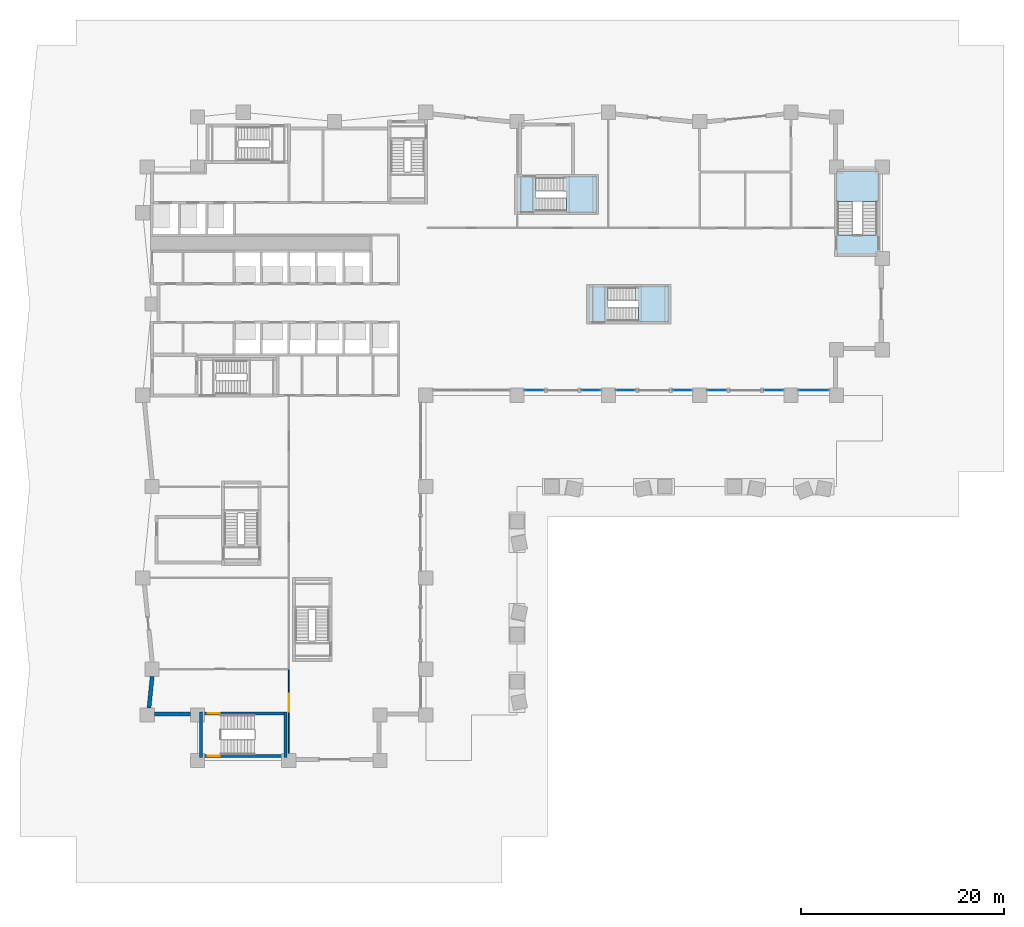
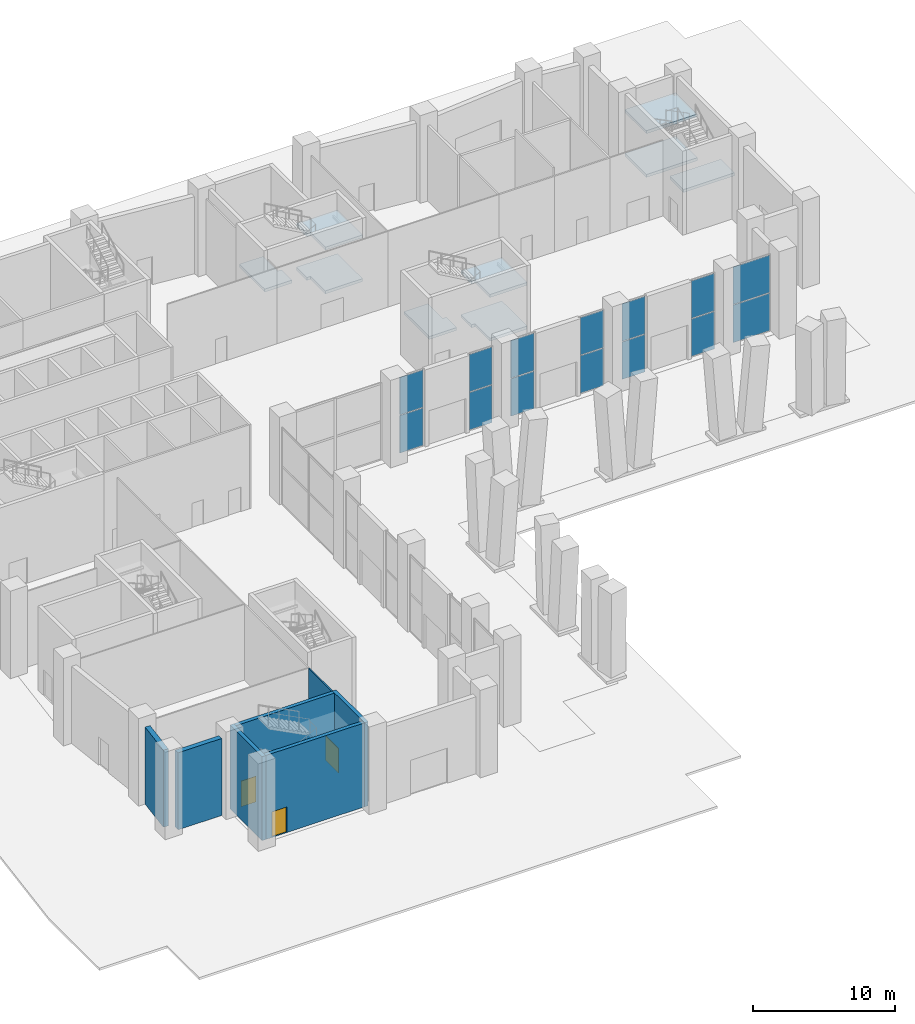
# One storey, part 6 of 16: 14 plates, 9 slabs, 7 walls, 3 doors, 3 openings, 10 elements without a shape of their own.
"""IFC4 building model written with IfcOpenShell, lengths in metres."""

from ifc_helpers import new_model, si_unit, direction, frame, frame_2d, origin, origin_2d, place, context, subcontext, project, spatial, polyline, rectangle, outline, extrude, material, layer, layer_set, type_object, element, fill, aggregate, save


model = new_model("IFC4")

# Units and contexts
model_context = context("Model", 3, precision=1e-05, world=origin(), true_north=direction((0.0, 1.0)))
body_context = subcontext(model_context, "Body", "Model", "MODEL_VIEW")
ifc_project = project(units=[si_unit("LENGTHUNIT", "METRE"), si_unit("AREAUNIT", "SQUARE_METRE"), si_unit("VOLUMEUNIT", "CUBIC_METRE"), si_unit("PLANEANGLEUNIT", "RADIAN"), si_unit("MASSUNIT", "GRAM", prefix="KILO")], contexts=[model_context])

# Site, building, storey
site_placement = place(None, origin())
site = spatial("IfcSite", under=ifc_project, at=site_placement, CompositionType="ELEMENT")
building_placement = place(site_placement, origin())
building = spatial("IfcBuilding", under=site, at=building_placement, Name="Brondeck Convention Tower", CompositionType="ELEMENT")
storey_placement = place(building_placement, origin())
storey = spatial("IfcBuildingStorey", under=building, at=storey_placement, Name="L00", CompositionType="ELEMENT", Elevation=0.0)

# Curtain wall, plates
ifc_material_1 = material(Name="Aluminium, bronze anodised", Category="aluminium")
curtain_wall_type = type_object("IfcCurtainWallType", Name="Lobby and concourse curtain wall", PredefinedType="NOTDEFINED", material=ifc_material_1)
curtain_wall_1_placement = place(storey_placement, origin())
curtain_wall_1 = element("IfcCurtainWall", 1, at=curtain_wall_1_placement, inside=storey, type_object=curtain_wall_type, Name="ENV-CW1-L00-A-S-03a", PredefinedType="NOTDEFINED")
ifc_material_2 = material(Name="Bronze tinted laminated glass", Category="glass")
ifc_layer_1 = layer(ifc_material_2, 0.010009765625, Name="Outer pane")
ifc_material_3 = material(Name="Argon-filled cavity")
ifc_layer_2 = layer(ifc_material_3, 0.011962890625, Name="Cavity")
ifc_material_4 = material(Name="Clear low-emissivity glass", Category="glass")
ifc_layer_3 = layer(ifc_material_4, 0.010009765625, Name="Inner pane")
ifc_layer_set_1 = layer_set([ifc_layer_1, ifc_layer_2, ifc_layer_3], Name="CW1 glazing panel")
plate_type = type_object("IfcPlateType", Name="CW1 glazing panel", PredefinedType="CURTAIN_PANEL", material=ifc_layer_set_1)
plate_1_placement = place(storey_placement, frame((37.699951171875, 36.5, 0.06005859375), z_axis=(0.0, 0.0, 1.0), x_axis=(-1.0, 0.0, 0.0)))
plate_1 = element("IfcPlate", 2, at=plate_1_placement, type_object=plate_type, Name="CW1 panel 1.1", PredefinedType="CURTAIN_PANEL", context=body_context, shape_type="SweptSolid", body=[
    extrude(rectangle(XDim=1.8798828125, YDim=0.031982421875, at=origin_2d()), origin(), (0.0, 0.0, 1.0), 3.2099609375),
])
plate_2_placement = place(storey_placement, frame((37.699951171875, 36.5, 3.330078125), z_axis=(0.0, 0.0, 1.0), x_axis=(-1.0, 0.0, 0.0)))
plate_2 = element("IfcPlate", 3, at=plate_2_placement, type_object=plate_type, Name="CW1 panel 1.2", PredefinedType="CURTAIN_PANEL", context=body_context, shape_type="SweptSolid", body=[
    extrude(rectangle(XDim=1.8798828125, YDim=0.031982421875, at=origin_2d()), origin(), (0.0, 0.0, 1.0), 3.2099609375),
])
aggregate(curtain_wall_1, [plate_1, plate_2])

curtain_wall_2_placement = place(storey_placement, origin())
curtain_wall_2 = element("IfcCurtainWall", 4, at=curtain_wall_2_placement, inside=storey, type_object=curtain_wall_type, Name="ENV-CW1-L00-A-S-03b", PredefinedType="NOTDEFINED")
plate_3_placement = place(storey_placement, frame((43.300048828125, 36.5, 0.06005859375), z_axis=(0.0, 0.0, 1.0), x_axis=(-1.0, 0.0, 0.0)))
plate_3 = element("IfcPlate", 5, at=plate_3_placement, type_object=plate_type, Name="CW1 panel 1.1", PredefinedType="CURTAIN_PANEL", context=body_context, shape_type="SweptSolid", body=[
    extrude(rectangle(XDim=1.8798828125, YDim=0.031982421875, at=origin_2d()), origin(), (0.0, 0.0, 1.0), 3.2099609375),
])
plate_4_placement = place(storey_placement, frame((43.300048828125, 36.5, 3.330078125), z_axis=(0.0, 0.0, 1.0), x_axis=(-1.0, 0.0, 0.0)))
plate_4 = element("IfcPlate", 6, at=plate_4_placement, type_object=plate_type, Name="CW1 panel 1.2", PredefinedType="CURTAIN_PANEL", context=body_context, shape_type="SweptSolid", body=[
    extrude(rectangle(XDim=1.8798828125, YDim=0.031982421875, at=origin_2d()), origin(), (0.0, 0.0, 1.0), 3.2099609375),
])
aggregate(curtain_wall_2, [plate_3, plate_4])

curtain_wall_3_placement = place(storey_placement, origin())
curtain_wall_3 = element("IfcCurtainWall", 7, at=curtain_wall_3_placement, inside=storey, type_object=curtain_wall_type, Name="ENV-CW1-L00-A-S-05a", PredefinedType="NOTDEFINED")
plate_5_placement = place(storey_placement, frame((46.699951171875, 36.5, 0.06005859375), z_axis=(0.0, 0.0, 1.0), x_axis=(-1.0, 0.0, 0.0)))
plate_5 = element("IfcPlate", 8, at=plate_5_placement, type_object=plate_type, Name="CW1 panel 1.1", PredefinedType="CURTAIN_PANEL", context=body_context, shape_type="SweptSolid", body=[
    extrude(rectangle(XDim=1.8798828125, YDim=0.031982421875, at=origin_2d()), origin(), (0.0, 0.0, 1.0), 3.2099609375),
])
plate_6_placement = place(storey_placement, frame((46.699951171875, 36.5, 3.330078125), z_axis=(0.0, 0.0, 1.0), x_axis=(-1.0, 0.0, 0.0)))
plate_6 = element("IfcPlate", 9, at=plate_6_placement, type_object=plate_type, Name="CW1 panel 1.2", PredefinedType="CURTAIN_PANEL", context=body_context, shape_type="SweptSolid", body=[
    extrude(rectangle(XDim=1.8798828125, YDim=0.031982421875, at=origin_2d()), origin(), (0.0, 0.0, 1.0), 3.2099609375),
])
aggregate(curtain_wall_3, [plate_5, plate_6])

curtain_wall_4_placement = place(storey_placement, origin())
curtain_wall_4 = element("IfcCurtainWall", 10, at=curtain_wall_4_placement, inside=storey, type_object=curtain_wall_type, Name="ENV-CW1-L00-A-S-05b", PredefinedType="NOTDEFINED")
plate_7_placement = place(storey_placement, frame((52.300048828125, 36.5, 0.06005859375), z_axis=(0.0, 0.0, 1.0), x_axis=(-1.0, 0.0, 0.0)))
plate_7 = element("IfcPlate", 11, at=plate_7_placement, type_object=plate_type, Name="CW1 panel 1.1", PredefinedType="CURTAIN_PANEL", context=body_context, shape_type="SweptSolid", body=[
    extrude(rectangle(XDim=1.8798828125, YDim=0.031982421875, at=origin_2d()), origin(), (0.0, 0.0, 1.0), 3.2099609375),
])
plate_8_placement = place(storey_placement, frame((52.300048828125, 36.5, 3.330078125), z_axis=(0.0, 0.0, 1.0), x_axis=(-1.0, 0.0, 0.0)))
plate_8 = element("IfcPlate", 12, at=plate_8_placement, type_object=plate_type, Name="CW1 panel 1.2", PredefinedType="CURTAIN_PANEL", context=body_context, shape_type="SweptSolid", body=[
    extrude(rectangle(XDim=1.8798828125, YDim=0.031982421875, at=origin_2d()), origin(), (0.0, 0.0, 1.0), 3.2099609375),
])
aggregate(curtain_wall_4, [plate_7, plate_8])

curtain_wall_5_placement = place(storey_placement, origin())
curtain_wall_5 = element("IfcCurtainWall", 13, at=curtain_wall_5_placement, inside=storey, type_object=curtain_wall_type, Name="ENV-CW1-L00-A-S-07a", PredefinedType="NOTDEFINED")
plate_9_placement = place(storey_placement, frame((55.699951171875, 36.5, 0.06005859375), z_axis=(0.0, 0.0, 1.0), x_axis=(-1.0, 0.0, 0.0)))
plate_9 = element("IfcPlate", 14, at=plate_9_placement, type_object=plate_type, Name="CW1 panel 1.1", PredefinedType="CURTAIN_PANEL", context=body_context, shape_type="SweptSolid", body=[
    extrude(rectangle(XDim=1.8798828125, YDim=0.031982421875, at=origin_2d()), origin(), (0.0, 0.0, 1.0), 3.2099609375),
])
plate_10_placement = place(storey_placement, frame((55.699951171875, 36.5, 3.330078125), z_axis=(0.0, 0.0, 1.0), x_axis=(-1.0, 0.0, 0.0)))
plate_10 = element("IfcPlate", 15, at=plate_10_placement, type_object=plate_type, Name="CW1 panel 1.2", PredefinedType="CURTAIN_PANEL", context=body_context, shape_type="SweptSolid", body=[
    extrude(rectangle(XDim=1.8798828125, YDim=0.031982421875, at=origin_2d()), origin(), (0.0, 0.0, 1.0), 3.2099609375),
])
aggregate(curtain_wall_5, [plate_9, plate_10])

curtain_wall_6_placement = place(storey_placement, origin())
curtain_wall_6 = element("IfcCurtainWall", 16, at=curtain_wall_6_placement, inside=storey, type_object=curtain_wall_type, Name="ENV-CW1-L00-A-S-07b", PredefinedType="NOTDEFINED")
plate_11_placement = place(storey_placement, frame((61.300048828125, 36.5, 0.06005859375), z_axis=(0.0, 0.0, 1.0), x_axis=(-1.0, 0.0, 0.0)))
plate_11 = element("IfcPlate", 17, at=plate_11_placement, type_object=plate_type, Name="CW1 panel 1.1", PredefinedType="CURTAIN_PANEL", context=body_context, shape_type="SweptSolid", body=[
    extrude(rectangle(XDim=1.8798828125, YDim=0.031982421875, at=origin_2d()), origin(), (0.0, 0.0, 1.0), 3.2099609375),
])
plate_12_placement = place(storey_placement, frame((61.300048828125, 36.5, 3.330078125), z_axis=(0.0, 0.0, 1.0), x_axis=(-1.0, 0.0, 0.0)))
plate_12 = element("IfcPlate", 18, at=plate_12_placement, type_object=plate_type, Name="CW1 panel 1.2", PredefinedType="CURTAIN_PANEL", context=body_context, shape_type="SweptSolid", body=[
    extrude(rectangle(XDim=1.8798828125, YDim=0.031982421875, at=origin_2d()), origin(), (0.0, 0.0, 1.0), 3.2099609375),
])
aggregate(curtain_wall_6, [plate_11, plate_12])

curtain_wall_7_placement = place(storey_placement, origin())
curtain_wall_7 = element("IfcCurtainWall", 19, at=curtain_wall_7_placement, inside=storey, type_object=curtain_wall_type, Name="ENV-CW1-L00-A-S-08", PredefinedType="NOTDEFINED")
plate_13_placement = place(storey_placement, frame((65.25, 36.5, 0.06005859375), z_axis=(0.0, 0.0, 1.0), x_axis=(-1.0, 0.0, 0.0)))
plate_13 = element("IfcPlate", 20, at=plate_13_placement, type_object=plate_type, Name="CW1 panel 1.1", PredefinedType="CURTAIN_PANEL", context=body_context, shape_type="SweptSolid", body=[
    extrude(rectangle(XDim=2.97998046875, YDim=0.031982421875, at=origin_2d()), origin(), (0.0, 0.0, 1.0), 3.2099609375),
])
plate_14_placement = place(storey_placement, frame((65.25, 36.5, 3.330078125), z_axis=(0.0, 0.0, 1.0), x_axis=(-1.0, 0.0, 0.0)))
plate_14 = element("IfcPlate", 21, at=plate_14_placement, type_object=plate_type, Name="CW1 panel 1.2", PredefinedType="CURTAIN_PANEL", context=body_context, shape_type="SweptSolid", body=[
    extrude(rectangle(XDim=2.97998046875, YDim=0.031982421875, at=origin_2d()), origin(), (0.0, 0.0, 1.0), 3.2099609375),
])
aggregate(curtain_wall_7, [plate_13, plate_14])

# Stair, slabs
ifc_material_5 = material(Name="Precast concrete C50/60", Category="concrete")
stair_type_1 = type_object("IfcStairType", Name="Core stair 44 risers 170.45 mm riser 300 mm going 1350 wide", PredefinedType="HALF_TURN_STAIR", material=ifc_material_5)
stair_1_placement = place(storey_placement, origin())
stair_1 = element("IfcStair", 22, at=stair_1_placement, inside=storey, type_object=stair_type_1, Name="ST-AE L00 stair", PredefinedType="HALF_TURN_STAIR")
ifc_layer_4 = layer(ifc_material_5, 0.25)
ifc_layer_set_2 = layer_set([ifc_layer_4], Name="Core stair landing 250 Precast concrete C50/60")
slab_type = type_object("IfcSlabType", Name="Core stair landing 250 Precast concrete C50/60", PredefinedType="LANDING", material=ifc_layer_set_2)
slab_1_placement = place(storey_placement, frame((0.0, 0.0, 1.625)))
slab_1 = element("IfcSlab", 23, at=slab_1_placement, type_object=slab_type, Name="ST-AE landing 1", PredefinedType="LANDING", context=body_context, shape_type="SweptSolid", body=[
    extrude(outline(polyline([(40.847900390625, 55.5), (40.85009765625, 55.5), (40.85009765625, 56.10009765625), (40.550048828125, 56.10009765625), (40.550048828125, 57.570068359375), (43.8701171875, 57.570068359375), (43.8701171875, 54.030029296875), (40.847900390625, 54.030029296875), (40.847900390625, 55.5)])), origin(), (0.0, 0.0, 1.0), 0.25),
])
slab_2_placement = place(storey_placement, frame((0.0, 0.0, 3.5)))
slab_2 = element("IfcSlab", 24, at=slab_2_placement, type_object=slab_type, Name="ST-AE landing 2", PredefinedType="LANDING", context=body_context, shape_type="SweptSolid", body=[
    extrude(outline(polyline([(38.14990234375, 55.5), (38.14990234375, 54.030029296875), (35.929931640625, 54.030029296875), (35.929931640625, 57.570068359375), (37.85205078125, 57.570068359375), (37.85205078125, 56.10009765625), (37.85009765625, 56.10009765625), (37.85009765625, 55.5), (38.14990234375, 55.5)])), origin(), (0.0, 0.0, 1.0), 0.25),
])
slab_3_placement = place(storey_placement, frame((0.0, 0.0, 5.375)))
slab_3 = element("IfcSlab", 25, at=slab_3_placement, type_object=slab_type, Name="ST-AE landing 3", PredefinedType="LANDING", context=body_context, shape_type="SweptSolid", body=[
    extrude(outline(polyline([(40.847900390625, 55.5), (40.85009765625, 55.5), (40.85009765625, 56.10009765625), (40.550048828125, 56.10009765625), (40.550048828125, 57.570068359375), (43.8701171875, 57.570068359375), (43.8701171875, 54.030029296875), (40.847900390625, 54.030029296875), (40.847900390625, 55.5)])), origin(), (0.0, 0.0, 1.0), 0.25),
])
aggregate(stair_1, [slab_1, slab_2, slab_3])

stair_2_placement = place(storey_placement, origin())
stair_2 = element("IfcStair", 26, at=stair_2_placement, inside=storey, type_object=stair_type_1, Name="ST-AF L00 stair", PredefinedType="HALF_TURN_STAIR")
slab_4_placement = place(storey_placement, frame((0.0, 0.0, 1.625)))
slab_4 = element("IfcSlab", 27, at=slab_4_placement, type_object=slab_type, Name="ST-AF landing 1", PredefinedType="LANDING", context=body_context, shape_type="SweptSolid", body=[
    extrude(outline(polyline([(47.947998046875, 44.699951171875), (47.949951171875, 44.699951171875), (47.949951171875, 45.300048828125), (47.64990234375, 45.300048828125), (47.64990234375, 46.77001953125), (50.969970703125, 46.77001953125), (50.969970703125, 43.22998046875), (47.947998046875, 43.22998046875), (47.947998046875, 44.699951171875)])), origin(), (0.0, 0.0, 1.0), 0.25),
])
slab_5_placement = place(storey_placement, frame((0.0, 0.0, 3.5)))
slab_5 = element("IfcSlab", 28, at=slab_5_placement, type_object=slab_type, Name="ST-AF landing 2", PredefinedType="LANDING", context=body_context, shape_type="SweptSolid", body=[
    extrude(outline(polyline([(45.25, 44.699951171875), (45.25, 43.22998046875), (43.030029296875, 43.22998046875), (43.030029296875, 46.77001953125), (44.951904296875, 46.77001953125), (44.951904296875, 45.300048828125), (44.949951171875, 45.300048828125), (44.949951171875, 44.699951171875), (45.25, 44.699951171875)])), origin(), (0.0, 0.0, 1.0), 0.25),
])
slab_6_placement = place(storey_placement, frame((0.0, 0.0, 5.375)))
slab_6 = element("IfcSlab", 29, at=slab_6_placement, type_object=slab_type, Name="ST-AF landing 3", PredefinedType="LANDING", context=body_context, shape_type="SweptSolid", body=[
    extrude(outline(polyline([(47.947998046875, 44.699951171875), (47.949951171875, 44.699951171875), (47.949951171875, 45.300048828125), (47.64990234375, 45.300048828125), (47.64990234375, 46.77001953125), (50.969970703125, 46.77001953125), (50.969970703125, 43.22998046875), (47.947998046875, 43.22998046875), (47.947998046875, 44.699951171875)])), origin(), (0.0, 0.0, 1.0), 0.25),
])
aggregate(stair_2, [slab_4, slab_5, slab_6])

stair_type_2 = type_object("IfcStairType", Name="Core stair 44 risers 170.45 mm riser 330 mm going 1500 wide", PredefinedType="HALF_TURN_STAIR", material=ifc_material_5)
stair_3_placement = place(storey_placement, origin())
stair_3 = element("IfcStair", 30, at=stair_3_placement, inside=storey, type_object=stair_type_2, Name="PS-1 L00 stair", PredefinedType="HALF_TURN_STAIR")
slab_7_placement = place(storey_placement, frame((0.0, 0.0, 1.625)))
slab_7 = element("IfcSlab", 31, at=slab_7_placement, type_object=slab_type, Name="PS-1 landing 1", PredefinedType="LANDING", context=body_context, shape_type="SweptSolid", body=[
    extrude(outline(polyline([(69.10009765625, 55.097900390625), (67.47998046875, 55.097900390625), (67.47998046875, 58.1201171875), (71.6201171875, 58.1201171875), (71.6201171875, 55.097900390625), (70.0, 55.097900390625), (70.0, 55.10009765625), (69.10009765625, 55.10009765625), (69.10009765625, 55.097900390625)])), origin(), (0.0, 0.0, 1.0), 0.25),
])
slab_8_placement = place(storey_placement, frame((0.0, 0.0, 3.5)))
slab_8 = element("IfcSlab", 32, at=slab_8_placement, type_object=slab_type, Name="PS-1 landing 2", PredefinedType="LANDING", context=body_context, shape_type="SweptSolid", body=[
    extrude(outline(polyline([(71.6201171875, 49.8798828125), (67.47998046875, 49.8798828125), (67.47998046875, 51.802001953125), (69.10009765625, 51.802001953125), (69.10009765625, 51.800048828125), (70.0, 51.800048828125), (70.0, 51.802001953125), (71.6201171875, 51.802001953125), (71.6201171875, 49.8798828125)])), origin(), (0.0, 0.0, 1.0), 0.25),
])
slab_9_placement = place(storey_placement, frame((0.0, 0.0, 5.375)))
slab_9 = element("IfcSlab", 33, at=slab_9_placement, type_object=slab_type, Name="PS-1 landing 3", PredefinedType="LANDING", context=body_context, shape_type="SweptSolid", body=[
    extrude(outline(polyline([(69.10009765625, 55.097900390625), (67.47998046875, 55.097900390625), (67.47998046875, 58.1201171875), (71.6201171875, 58.1201171875), (71.6201171875, 55.097900390625), (70.0, 55.097900390625), (70.0, 55.10009765625), (69.10009765625, 55.10009765625), (69.10009765625, 55.097900390625)])), origin(), (0.0, 0.0, 1.0), 0.25),
])
aggregate(stair_3, [slab_7, slab_8, slab_9])

# Walls
ifc_material_6 = material(Name="Limestone", Category="masonry")
ifc_layer_5 = layer(ifc_material_6, 0.10009765625, Name="Limestone facing")
ifc_material_7 = material(Name="Mineral wool")
ifc_layer_6 = layer(ifc_material_7, 0.159912109375, Name="Insulation")
ifc_material_8 = material(Name="Concrete C35/45", Category="concrete")
ifc_layer_7 = layer(ifc_material_8, 0.139892578125, Name="Backing")
ifc_layer_set_3 = layer_set([ifc_layer_5, ifc_layer_6, ifc_layer_7], Name="External wall, limestone cladding")
wall_type_1 = type_object("IfcWallType", Name="External wall, limestone cladding", PredefinedType="SOLIDWALL", material=ifc_layer_set_3)
wall_1_placement = place(storey_placement, frame((-0.28076171875, 5.1865234375, 0.0), z_axis=(0.0, 0.0, 1.0), x_axis=(0.099457269599, 0.995041834057, 0.0)))
element("IfcWall", 34, at=wall_1_placement, inside=storey, type_object=wall_type_1, Name="ENV-EW-L00-BASE-B-W-12", PredefinedType="SOLIDWALL", context=body_context, shape_type="SweptSolid", body=[
    extrude(rectangle(XDim=3.122314453125, YDim=0.39990234375, at=frame_2d((1.56103515625, 0.0))), origin(), (0.0, 0.0, 1.0), 6.60009765625),
])
wall_2_placement = place(storey_placement, frame((3.800048828125, 4.60009765625, 0.0), z_axis=(0.0, 0.0, 1.0), x_axis=(-1.0, 0.0, 0.0)))
element("IfcWall", 35, at=wall_2_placement, inside=storey, type_object=wall_type_1, Name="ENV-EW-L00-BASE-NC-SWB-01", PredefinedType="SOLIDWALL", context=body_context, shape_type="SweptSolid", body=[
    extrude(rectangle(XDim=3.550048828125, YDim=0.39990234375, at=frame_2d((1.77490234375, 0.0))), origin(), (0.0, 0.0, 1.0), 6.60009765625),
])

# Wall, opening, door
ifc_material_9 = material(Name="Gypsum board partition on steel studs", Category="steel")
ifc_layer_8 = layer(ifc_material_9, 0.10009765625)
ifc_layer_set_4 = layer_set([ifc_layer_8], Name="Room partition 100")
wall_type_2 = type_object("IfcWallType", Name="Room partition 100", PredefinedType="PARTITIONING", material=ifc_layer_set_4)
wall_3_placement = place(storey_placement, frame((13.5, 0.719970703125, 0.0), z_axis=(0.0, 0.0, 1.0), x_axis=(0.0, 1.0, 0.0)))
wall_3 = element("IfcWall", 36, at=wall_3_placement, inside=storey, type_object=wall_type_2, Name="FLR-L00-W001", PredefinedType="PARTITIONING", context=body_context, shape_type="SweptSolid", body=[
    extrude(rectangle(XDim=8.22998046875, YDim=0.10009765625, at=frame_2d((4.114990234375, 0.0))), origin(), (0.0, 0.0, 1.0), 6.47998046875),
])
opening_1_placement = place(wall_3_placement, frame((4.080078125, 0.0, 0.0)))
opening_1 = element("IfcOpeningElement", 37, at=opening_1_placement, cuts=wall_3, Name="Opening P-L00-008", PredefinedType="OPENING", context=body_context, shape_type="SweptSolid", body=[
    extrude(rectangle(XDim=1.800048828125, YDim=2.10009765625, at=frame_2d((0.89990234375, 1.050048828125))), frame((0.0, 0.06005859375, 0.0), z_axis=(0.0, -1.0, 0.0), x_axis=(1.0, 0.0, 0.0)), (0.0, 0.0, 1.0), 0.1201171875),
])
ifc_material_10 = material(Name="Glazed timber double door", Category="wood")
door_type_1 = type_object("IfcDoorType", Name="Double door 1800", OperationType="DOUBLE_DOOR_SINGLE_SWING", PredefinedType="DOOR", material=ifc_material_10)
door_1_placement = place(opening_1_placement, origin())
door_1 = element("IfcDoor", 38, at=door_1_placement, inside=storey, type_object=door_type_1, Name="Door P-L00-008", OperationType="DOUBLE_DOOR_SINGLE_SWING", OverallHeight=2.10009765625, OverallWidth=1.800048828125, PredefinedType="DOOR", context=body_context, shape_type="SweptSolid", body=[
    extrude(rectangle(XDim=1.800048828125, YDim=2.10009765625, at=frame_2d((0.89990234375, 1.050048828125))), frame((0.0, 0.02490234375, 0.0), z_axis=(0.0, -1.0, 0.0), x_axis=(1.0, 0.0, 0.0)), (0.0, 0.0, 1.0), 0.050048828125),
])
fill(opening_1, door_1)

ifc_material_11 = material(Name="Concrete C80/95", Category="concrete")
ifc_layer_9 = layer(ifc_material_11, 0.300048828125)
ifc_layer_set_5 = layer_set([ifc_layer_9], Name="Stair enclosure wall 300 Concrete C80/95")
wall_type_3 = type_object("IfcWallType", Name="Stair enclosure wall 300 Concrete C80/95", PredefinedType="SHEAR", material=ifc_layer_set_5)
wall_4_placement = place(storey_placement, frame((5.0, 0.449951171875, 0.0), z_axis=(0.0, 0.0, 1.0), x_axis=(1.0, 0.0, 0.0)))
wall_4 = element("IfcWall", 39, at=wall_4_placement, inside=storey, type_object=wall_type_3, Name="L00 core wall", PredefinedType="SHEAR", context=body_context, shape_type="SweptSolid", body=[
    extrude(rectangle(XDim=8.0, YDim=0.300048828125, at=frame_2d((4.0, 0.0))), origin(), (0.0, 0.0, 1.0), 7.199951171875),
])
opening_2_placement = place(wall_4_placement, frame((0.5, 0.0, 0.0)))
opening_2 = element("IfcOpeningElement", 40, at=opening_2_placement, cuts=wall_4, Name="Opening C02-23", PredefinedType="OPENING", context=body_context, shape_type="SweptSolid", body=[
    extrude(rectangle(XDim=1.199951171875, YDim=2.199951171875, at=frame_2d((0.60009765625, 1.10009765625))), frame((0.0, 0.159912109375, 0.0), z_axis=(0.0, -1.0, 0.0), x_axis=(1.0, 0.0, 0.0)), (0.0, 0.0, 1.0), 0.320068359375),
])
ifc_material_12 = material(Name="Steel fire door", Category="steel")
door_type_2 = type_object("IfcDoorType", Name="Exit door external 1200x2200 EI 90", OperationType="NOTDEFINED", PredefinedType="DOOR", material=ifc_material_12)
door_2_placement = place(opening_2_placement, origin())
door_2 = element("IfcDoor", 41, at=door_2_placement, inside=storey, type_object=door_type_2, Name="L00 Exit door external PS-2", OperationType="SINGLE_SWING_RIGHT", OverallHeight=2.199951171875, OverallWidth=1.199951171875, PredefinedType="DOOR", context=body_context, shape_type="SweptSolid", body=[
    extrude(rectangle(XDim=1.199951171875, YDim=2.199951171875, at=frame_2d((0.60009765625, 1.10009765625))), frame((0.0, 0.02490234375, 0.0), z_axis=(0.0, -1.0, 0.0), x_axis=(1.0, 0.0, 0.0)), (0.0, 0.0, 1.0), 0.050048828125),
])
fill(opening_2, door_2)

wall_5_placement = place(storey_placement, frame((5.0, 4.64990234375, 0.0), z_axis=(0.0, 0.0, 1.0), x_axis=(1.0, 0.0, 0.0)))
wall_5 = element("IfcWall", 42, at=wall_5_placement, inside=storey, type_object=wall_type_3, Name="L00 core wall", PredefinedType="SHEAR", context=body_context, shape_type="SweptSolid", body=[
    extrude(rectangle(XDim=8.0, YDim=0.300048828125, at=frame_2d((4.0, 0.0))), origin(), (0.0, 0.0, 1.0), 7.199951171875),
])
opening_3_placement = place(wall_5_placement, frame((0.5, 0.0, 0.0)))
opening_3 = element("IfcOpeningElement", 43, at=opening_3_placement, cuts=wall_5, Name="Opening C02-14", PredefinedType="OPENING", context=body_context, shape_type="SweptSolid", body=[
    extrude(rectangle(XDim=1.199951171875, YDim=2.199951171875, at=frame_2d((0.60009765625, 1.10009765625))), frame((0.0, 0.159912109375, 0.0), z_axis=(0.0, -1.0, 0.0), x_axis=(1.0, 0.0, 0.0)), (0.0, 0.0, 1.0), 0.320068359375),
])
door_type_3 = type_object("IfcDoorType", Name="Stair door 1200x2200 EI 90", OperationType="NOTDEFINED", PredefinedType="DOOR", material=ifc_material_12)
door_3_placement = place(opening_3_placement, origin())
door_3 = element("IfcDoor", 44, at=door_3_placement, inside=storey, type_object=door_type_3, Name="L00 Stair door PS-2", OperationType="SINGLE_SWING_LEFT", OverallHeight=2.199951171875, OverallWidth=1.199951171875, PredefinedType="DOOR", context=body_context, shape_type="SweptSolid", body=[
    extrude(rectangle(XDim=1.199951171875, YDim=2.199951171875, at=frame_2d((0.60009765625, 1.10009765625))), frame((0.0, 0.02490234375, 0.0), z_axis=(0.0, -1.0, 0.0), x_axis=(1.0, 0.0, 0.0)), (0.0, 0.0, 1.0), 0.050048828125),
])
fill(opening_3, door_3)

# Walls
for number, where, z_axis, x_axis, name in (
    (45, (4.85009765625, 0.300048828125, 0.0), (0.0, 0.0, 1.0), (0.0, 1.0, 0.0), "L00 core wall"),
    (46, (13.14990234375, 0.300048828125, 0.0), (0.0, 0.0, 1.0), (0.0, 1.0, 0.0), "L00 core wall"),
):
    element("IfcWall", number, at=place(storey_placement, frame(where, z_axis=z_axis, x_axis=x_axis)), inside=storey, type_object=wall_type_3, Name=name, PredefinedType="SHEAR", context=body_context, shape_type="SweptSolid", body=[
        extrude(rectangle(XDim=4.5, YDim=0.300048828125, at=frame_2d((2.25, 0.0))), origin(), (0.0, 0.0, 1.0), 7.199951171875),
    ])

save(model, "model.ifc")
